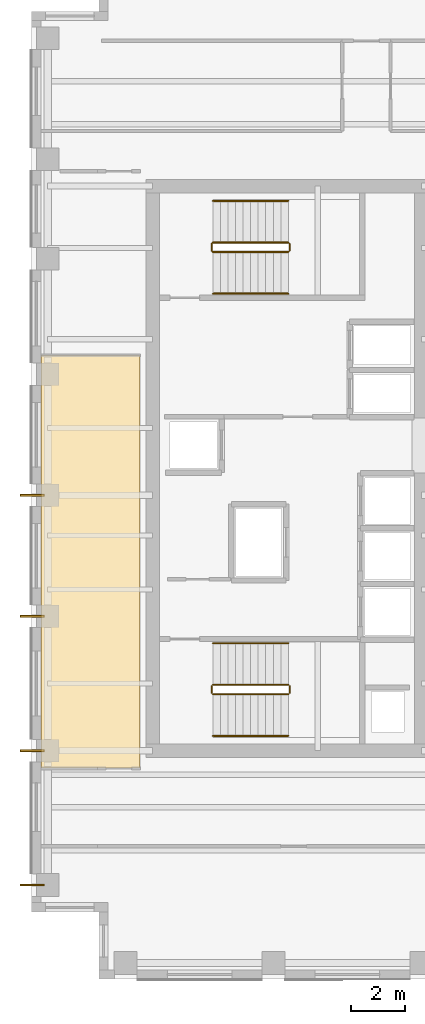
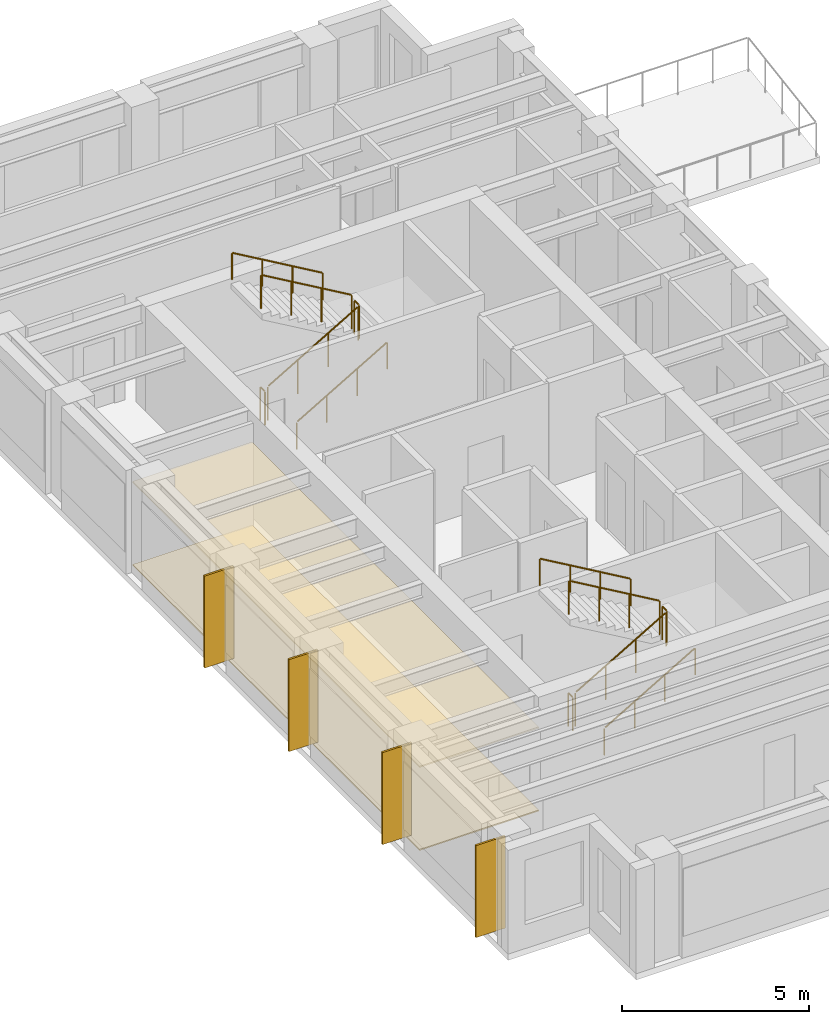
# One storey, part 9 of 10: 12 railings, 6 coverings.
"""IFC4 building model written with IfcOpenShell, lengths in metres."""

from ifc_helpers import new_model, si_unit, direction, frame, origin, origin_2d, place, context, subcontext, project, spatial, polyline, rectangle, circle, outline, extrude, source, transform, mapped, material, layer, layer_set, type_object, element, save


model = new_model("IFC4")

# Units and contexts
model_context = context("Model", 3, precision=1e-05, world=origin(), true_north=direction((0.0, 1.0)))
body_context = subcontext(model_context, "Body", "Model", "MODEL_VIEW")
ifc_project = project(units=[si_unit("LENGTHUNIT", "METRE"), si_unit("AREAUNIT", "SQUARE_METRE"), si_unit("VOLUMEUNIT", "CUBIC_METRE"), si_unit("PLANEANGLEUNIT", "RADIAN"), si_unit("MASSUNIT", "GRAM", prefix="KILO")], contexts=[model_context])

# Site, building, storey
site_placement = place(None, origin())
site = spatial("IfcSite", under=ifc_project, at=site_placement, CompositionType="ELEMENT")
building_placement = place(site_placement, origin())
building = spatial("IfcBuilding", under=site, at=building_placement, Name="Kharzan Plaza Tower", CompositionType="ELEMENT")
storey_placement = place(building_placement, frame((0.0, 0.0, 223.199951171875)))
storey = spatial("IfcBuildingStorey", under=building, at=storey_placement, Name="L60", CompositionType="ELEMENT", Elevation=223.199951171875)

# Coverings
ifc_material_1 = material(Name="Perforated Acoustic Mineral-Fibre Tile", Category="gypsum")
ifc_layer_1 = layer(ifc_material_1, 0.044921875)
ifc_layer_set_1 = layer_set([ifc_layer_1], Name="Perforated Acoustic Mineral-Fibre Tile")
covering_type_1 = type_object("IfcCoveringType", Name="COV-CEIL-ACT", PredefinedType="CEILING", material=ifc_layer_set_1)
covering_1_placement = place(storey_placement, frame((0.0, 0.0, 2.705078125)))
element("IfcCovering", 1, at=covering_1_placement, inside=storey, type_object=covering_type_1, Name="L60 Suspended Acoustic Ceiling RW1", PredefinedType="CEILING", context=body_context, shape_type="SweptSolid", body=[
    extrude(outline(polyline([(0.360107421875, 7.860107421875), (4.0400390625, 7.860107421875), (4.0400390625, 23.18994140625), (0.360107421875, 23.18994140625), (0.360107421875, 7.860107421875)])), origin(), (0.0, 0.0, 1.0), 0.044921875),
])
ifc_material_2 = material(Name="Honed Najran Granite Terrazzo", Category="masonry")
ifc_layer_2 = layer(ifc_material_2, 0.0400390625)
ifc_layer_set_2 = layer_set([ifc_layer_2], Name="Honed Najran Granite Terrazzo")
covering_type_2 = type_object("IfcCoveringType", Name="COV-FLOOR-STN", PredefinedType="FLOORING", material=ifc_layer_set_2)
covering_2_placement = place(storey_placement, origin())
element("IfcCovering", 2, at=covering_2_placement, inside=storey, type_object=covering_type_2, Name="L60 Honed Granite Terrazzo Flooring RW1", PredefinedType="FLOORING", context=body_context, shape_type="SweptSolid", body=[
    extrude(outline(polyline([(0.360107421875, 7.860107421875), (4.0400390625, 7.860107421875), (4.0400390625, 23.18994140625), (0.360107421875, 23.18994140625), (0.360107421875, 7.860107421875)])), origin(), (0.0, 0.0, 1.0), 0.0400390625),
])

# Railings
ifc_material_3 = material(Name="Painted Galvanized Architectural Steel", Category="steel")
ifc_layer_3 = layer(ifc_material_3, 0.074951171875)
ifc_layer_set_3 = layer_set([ifc_layer_3], Name="Painted Galvanized Architectural Steel")
railing_type_1 = type_object("IfcRailingType", Name="RL-GUARD-1120", PredefinedType="BALUSTRADE", material=ifc_layer_set_3)
shared_shape_1 = source(origin(), body_context, "Body", "SweptSolid", [
    extrude(circle(Radius=0.02392578125, at=origin_2d()), frame((0.0, 0.0263671875, 1.09619140625), z_axis=(0.0, 1.0, 0.0), x_axis=(-1.0, 0.0, 0.0)), (0.0, 0.0, 1.0), 0.197021484375),
    extrude(circle(Radius=0.02099609375, at=origin_2d()), origin(), (0.0, 0.0, 1.0), 1.072021484375),
    extrude(circle(Radius=0.02099609375, at=origin_2d()), frame((0.0, 0.25, 0.0)), (0.0, 0.0, 1.0), 1.072021484375),
])
for number, where, name in (
    (3, (9.60009765625, 10.64990234375, 1.800048828125), "L60 ST-1 stair guard 2"),
    (4, (6.699951171875, 10.64990234375, 0.0), "L60 ST-1 stair guard 4"),
    (5, (9.60009765625, 27.10009765625, 1.800048828125), "L60 ST-2 stair guard 2"),
    (6, (6.699951171875, 27.10009765625, 0.0), "L60 ST-2 stair guard 4"),
):
    element("IfcRailing", number, at=place(storey_placement, frame(where)), inside=storey, type_object=railing_type_1, Name=name, PredefinedType="BALUSTRADE", context=body_context, shape_type="MappedRepresentation", body=[
        mapped(shared_shape_1, transform((0.0, 0.0, 0.0), x_axis=(1.0, 0.0, 0.0), y_axis=(0.0, 1.0, 0.0), z_axis=(0.0, 0.0, 1.0))),
    ])

# Coverings
ifc_material_4 = material(Name="Honed Riyadh Limestone", Category="masonry")
ifc_layer_4 = layer(ifc_material_4, 0.06005859375)
ifc_layer_set_4 = layer_set([ifc_layer_4], Name="Honed Riyadh Limestone")
covering_type_3 = type_object("IfcCoveringType", Name="COV-CLAD-STONE", PredefinedType="CLADDING", material=ifc_layer_set_4)
shared_shape_2 = source(origin(), body_context, "Body", "SweptSolid", [
    extrude(rectangle(XDim=0.06005859375, YDim=0.89990234375, at=origin_2d()), origin(), (0.0, 0.0, 1.0), 3.0),
])
for number, where, z_axis, x_axis, name in (
    (7, (0.02001953125, 13.5, 0.10009765625), (0.0, 0.0, 1.0), (0.0, 1.0, 0.0), "L60 Limestone Pier Rainscreen Cladding TCW-135"),
    (8, (0.02001953125, 18.0, 0.10009765625), (0.0, 0.0, 1.0), (0.0, 1.0, 0.0), "L60 Limestone Pier Rainscreen Cladding TCW-180"),
    (9, (0.02001953125, 3.5, 0.10009765625), (0.0, 0.0, 1.0), (0.0, 1.0, 0.0), "L60 Limestone Pier Rainscreen Cladding TCW-35"),
    (10, (0.02001953125, 8.5, 0.10009765625), (0.0, 0.0, 1.0), (0.0, 1.0, 0.0), "L60 Limestone Pier Rainscreen Cladding TCW-85"),
):
    element("IfcCovering", number, at=place(storey_placement, frame(where, z_axis=z_axis, x_axis=x_axis)), inside=storey, type_object=covering_type_3, Name=name, PredefinedType="CLADDING", context=body_context, shape_type="MappedRepresentation", body=[
        mapped(shared_shape_2, transform((0.0, 0.0, 0.0), x_axis=(1.0, 0.0, 0.0), y_axis=(0.0, 1.0, 0.0), z_axis=(0.0, 0.0, 1.0))),
    ])

# Railings
shared_shape_3 = source(origin(), body_context, "Body", "SweptSolid", [
    extrude(circle(Radius=0.02392578125, at=origin_2d()), frame((0.02294921875, 0.0, 1.109375), z_axis=(0.863360870873, 0.0, 0.504586966384), x_axis=(0.0, 1.0, 0.0)), (0.0, 0.0, 1.0), 3.190185546875),
    extrude(circle(Radius=0.02099609375, at=origin_2d()), origin(), (0.0, 0.0, 1.0), 1.072021484375),
    extrude(circle(Radius=0.02099609375, at=origin_2d()), frame((0.933349609375, 0.0, 0.54541015625)), (0.0, 0.0, 1.0), 1.072021484375),
    extrude(circle(Radius=0.02099609375, at=origin_2d()), frame((1.86669921875, 0.0, 1.091064453125)), (0.0, 0.0, 1.0), 1.072021484375),
    extrude(circle(Radius=0.02099609375, at=origin_2d()), frame((2.800048828125, 0.0, 1.636474609375)), (0.0, 0.0, 1.0), 1.072021484375),
])
for number, where, name in (
    (11, (6.75, 10.60009765625, 0.16357421875), "L60 ST-1 stair guard 1"),
    (12, (6.75, 27.050048828125, 0.16357421875), "L60 ST-2 stair guard 1"),
):
    element("IfcRailing", number, at=place(storey_placement, frame(where)), inside=storey, type_object=railing_type_1, Name=name, PredefinedType="BALUSTRADE", context=body_context, shape_type="MappedRepresentation", body=[
        mapped(shared_shape_3, transform((0.0, 0.0, 0.0), x_axis=(1.0, 0.0, 0.0), y_axis=(0.0, 1.0, 0.0), z_axis=(0.0, 0.0, 1.0))),
    ])
shared_shape_4 = source(origin(), body_context, "Body", "SweptSolid", [
    extrude(circle(Radius=0.02392578125, at=origin_2d()), frame((-0.02294921875, 0.0, 1.109375), z_axis=(-0.863360870873, 0.0, 0.504586966384), x_axis=(0.0, -1.0, 0.0)), (0.0, 0.0, 1.0), 3.190185546875),
    extrude(circle(Radius=0.02099609375, at=origin_2d()), origin(), (0.0, 0.0, 1.0), 1.072021484375),
    extrude(circle(Radius=0.02099609375, at=origin_2d()), frame((-0.933349609375, 0.0, 0.54541015625)), (0.0, 0.0, 1.0), 1.072021484375),
    extrude(circle(Radius=0.02099609375, at=origin_2d()), frame((-1.86669921875, 0.0, 1.091064453125)), (0.0, 0.0, 1.0), 1.072021484375),
    extrude(circle(Radius=0.02099609375, at=origin_2d()), frame((-2.800048828125, 0.0, 1.636474609375)), (0.0, 0.0, 1.0), 1.072021484375),
])
for number, where, name in (
    (13, (9.550048828125, 10.949951171875, 1.963623046875), "L60 ST-1 stair guard 3"),
    (14, (9.550048828125, 27.39990234375, 1.963623046875), "L60 ST-2 stair guard 3"),
):
    element("IfcRailing", number, at=place(storey_placement, frame(where)), inside=storey, type_object=railing_type_1, Name=name, PredefinedType="BALUSTRADE", context=body_context, shape_type="MappedRepresentation", body=[
        mapped(shared_shape_4, transform((0.0, 0.0, 0.0), x_axis=(1.0, 0.0, 0.0), y_axis=(0.0, 1.0, 0.0), z_axis=(0.0, 0.0, 1.0))),
    ])
ifc_material_5 = material(Name="Brushed Stainless Steel", Category="steel")
ifc_layer_5 = layer(ifc_material_5, 0.050048828125)
ifc_layer_set_5 = layer_set([ifc_layer_5], Name="Brushed Stainless Steel")
railing_type_2 = type_object("IfcRailingType", Name="RL-STAIR-HR920", PredefinedType="HANDRAIL", material=ifc_layer_set_5)
shared_shape_5 = source(origin(), body_context, "Body", "SweptSolid", [
    extrude(circle(Radius=0.02392578125, at=origin_2d()), frame((0.02294921875, 0.0, 0.88916015625), z_axis=(0.863360870873, 0.0, 0.504586966384), x_axis=(0.0, 1.0, 0.0)), (0.0, 0.0, 1.0), 3.190185546875),
    extrude(circle(Radius=0.02099609375, at=origin_2d()), origin(), (0.0, 0.0, 1.0), 0.851806640625),
    extrude(circle(Radius=0.02099609375, at=origin_2d()), frame((0.933349609375, 0.0, 0.54541015625)), (0.0, 0.0, 1.0), 0.851806640625),
    extrude(circle(Radius=0.02099609375, at=origin_2d()), frame((1.86669921875, 0.0, 1.091064453125)), (0.0, 0.0, 1.0), 0.851806640625),
    extrude(circle(Radius=0.02099609375, at=origin_2d()), frame((2.800048828125, 0.0, 1.636474609375)), (0.0, 0.0, 1.0), 0.851806640625),
])
for number, where, name in (
    (15, (6.75, 9.050048828125, 0.16357421875), "L60 ST-1 stair handrail 1"),
    (16, (6.75, 25.5, 0.16357421875), "L60 ST-2 stair handrail 1"),
):
    element("IfcRailing", number, at=place(storey_placement, frame(where)), inside=storey, type_object=railing_type_2, Name=name, PredefinedType="HANDRAIL", context=body_context, shape_type="MappedRepresentation", body=[
        mapped(shared_shape_5, transform((0.0, 0.0, 0.0), x_axis=(1.0, 0.0, 0.0), y_axis=(0.0, 1.0, 0.0), z_axis=(0.0, 0.0, 1.0))),
    ])
shared_shape_6 = source(origin(), body_context, "Body", "SweptSolid", [
    extrude(circle(Radius=0.02392578125, at=origin_2d()), frame((-0.02294921875, 0.0, 0.88916015625), z_axis=(-0.863360870873, 0.0, 0.504586966384), x_axis=(0.0, -1.0, 0.0)), (0.0, 0.0, 1.0), 3.190185546875),
    extrude(circle(Radius=0.02099609375, at=origin_2d()), origin(), (0.0, 0.0, 1.0), 0.851806640625),
    extrude(circle(Radius=0.02099609375, at=origin_2d()), frame((-0.933349609375, 0.0, 0.54541015625)), (0.0, 0.0, 1.0), 0.851806640625),
    extrude(circle(Radius=0.02099609375, at=origin_2d()), frame((-1.86669921875, 0.0, 1.091064453125)), (0.0, 0.0, 1.0), 0.851806640625),
    extrude(circle(Radius=0.02099609375, at=origin_2d()), frame((-2.800048828125, 0.0, 1.636474609375)), (0.0, 0.0, 1.0), 0.851806640625),
])
for number, where, name in (
    (17, (9.550048828125, 12.5, 1.963623046875), "L60 ST-1 stair handrail 2"),
    (18, (9.550048828125, 28.949951171875, 1.963623046875), "L60 ST-2 stair handrail 2"),
):
    element("IfcRailing", number, at=place(storey_placement, frame(where)), inside=storey, type_object=railing_type_2, Name=name, PredefinedType="HANDRAIL", context=body_context, shape_type="MappedRepresentation", body=[
        mapped(shared_shape_6, transform((0.0, 0.0, 0.0), x_axis=(1.0, 0.0, 0.0), y_axis=(0.0, 1.0, 0.0), z_axis=(0.0, 0.0, 1.0))),
    ])

save(model, "model.ifc")
